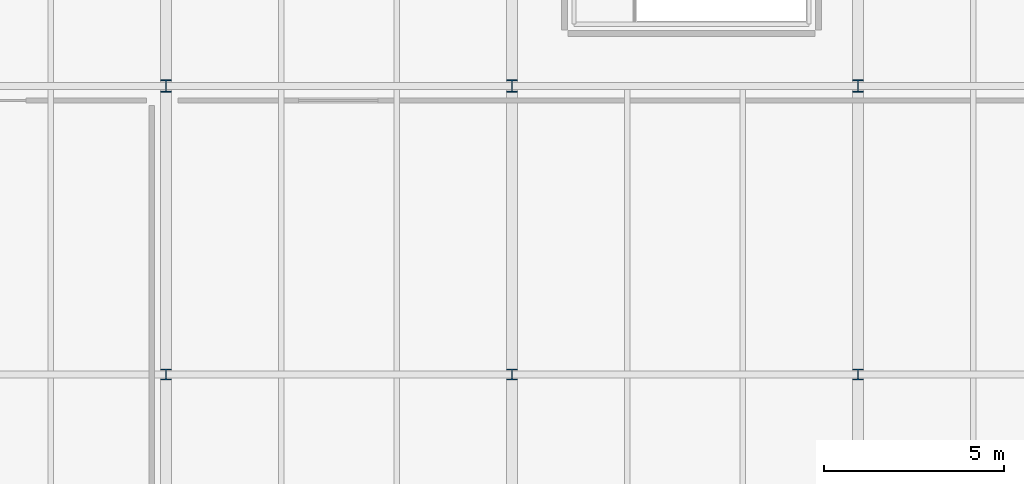
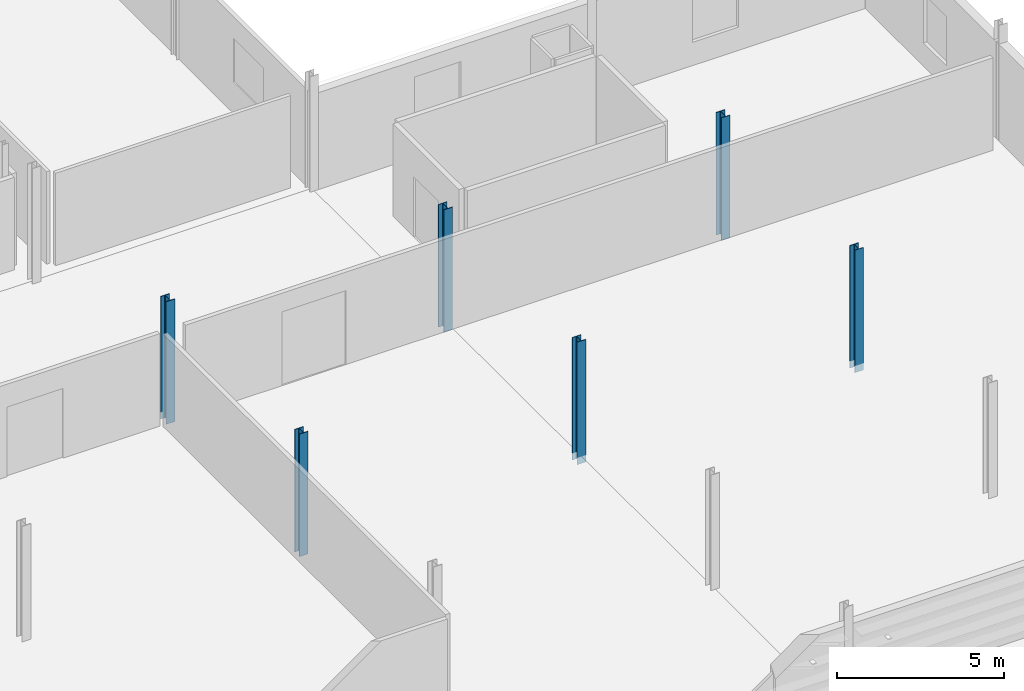
# One storey, part 5 of 73: 6 columns.
"""IFC4 building model written with IfcOpenShell, lengths in metres."""

from ifc_helpers import new_model, si_unit, direction, frame, origin, origin_2d, place, context, subcontext, project, spatial, i_section, extrude, material, material_profile, profile_set, type_object, element, save


model = new_model("IFC4")

# Units and contexts
model_context = context("Model", 3, precision=1e-05, world=origin(), true_north=direction((0.0, 1.0)))
body_context = subcontext(model_context, "Body", "Model", "MODEL_VIEW")
ifc_project = project(units=[si_unit("LENGTHUNIT", "METRE"), si_unit("AREAUNIT", "SQUARE_METRE"), si_unit("VOLUMEUNIT", "CUBIC_METRE"), si_unit("PLANEANGLEUNIT", "RADIAN"), si_unit("MASSUNIT", "GRAM", prefix="KILO")], contexts=[model_context])

# Site, building, storey
site_placement = place(None, origin())
site = spatial("IfcSite", under=ifc_project, at=site_placement, CompositionType="ELEMENT")
building_placement = place(site_placement, origin())
building = spatial("IfcBuilding", under=site, at=building_placement, Name="Alderhovde Museum", CompositionType="ELEMENT")
storey_placement = place(building_placement, frame((0.0, 0.0, 12.89990234375)))
storey = spatial("IfcBuildingStorey", under=building, at=storey_placement, Name="L03", CompositionType="ELEMENT", Elevation=12.89990234375)

# Columns
ifc_material_1 = material(Name="Steel S355J2", Category="steel")
ifc_material_profile_1 = material_profile(ifc_material_1, i_section(OverallWidth=0.300048828125, OverallDepth=0.300048828125, WebThickness=0.010986328125, FlangeThickness=0.01904296875, FilletRadius=0.027099609375, at=origin_2d()), Name="HEB 300")
ifc_profile_set_1 = profile_set([ifc_material_profile_1], Name="Steel S355J2")
column_type_1 = type_object("IfcColumnType", Name="COL-HEB300", PredefinedType="COLUMN", material=ifc_profile_set_1)
for number, where, z_axis, x_axis, name in (
    (1, (38.39990234375, 64.0, -0.260009765625), (0.0, 0.0, 1.0), (1.0, 0.0, 0.0), "L03 Column (38.4, 64.0)"),
    (2, (48.0, 64.0, -0.260009765625), (0.0, 0.0, 1.0), (1.0, 0.0, 0.0), "L03 Column (48.0, 64.0)"),
    (3, (57.60009765625, 64.0, -0.260009765625), (0.0, 0.0, 1.0), (1.0, 0.0, 0.0), "L03 Column (57.6, 64.0)"),
):
    element("IfcColumn", number, at=place(storey_placement, frame(where, z_axis=z_axis, x_axis=x_axis)), inside=storey, type_object=column_type_1, Name=name, PredefinedType="COLUMN", context=body_context, shape_type="SweptSolid", body=[
        extrude(i_section(OverallWidth=0.300048828125, OverallDepth=0.300048828125, WebThickness=0.010986328125, FlangeThickness=0.01904296875, FilletRadius=0.027099609375, at=origin_2d()), origin(), (0.0, 0.0, 1.0), 4.480224609375),
    ])
ifc_material_2 = material(Name="Steel S355J2", Category="steel")
ifc_material_profile_2 = material_profile(ifc_material_2, i_section(OverallWidth=0.300048828125, OverallDepth=0.340087890625, WebThickness=0.011962890625, FlangeThickness=0.021484375, FilletRadius=0.027099609375, at=origin_2d()), Name="HEB 340")
ifc_profile_set_2 = profile_set([ifc_material_profile_2], Name="Steel S355J2")
column_type_2 = type_object("IfcColumnType", Name="COL-HEB340", PredefinedType="COLUMN", material=ifc_profile_set_2)
for number, where, z_axis, x_axis, name in (
    (4, (38.39990234375, 72.0, -0.260009765625), (0.0, 0.0, 1.0), (1.0, 0.0, 0.0), "L03 Column (38.4, 72.0)"),
    (5, (48.0, 72.0, -0.260009765625), (0.0, 0.0, 1.0), (1.0, 0.0, 0.0), "L03 Column (48.0, 72.0)"),
    (6, (57.60009765625, 72.0, -0.260009765625), (0.0, 0.0, 1.0), (1.0, 0.0, 0.0), "L03 Column (57.6, 72.0)"),
):
    element("IfcColumn", number, at=place(storey_placement, frame(where, z_axis=z_axis, x_axis=x_axis)), inside=storey, type_object=column_type_2, Name=name, PredefinedType="COLUMN", context=body_context, shape_type="SweptSolid", body=[
        extrude(i_section(OverallWidth=0.300048828125, OverallDepth=0.340087890625, WebThickness=0.011962890625, FlangeThickness=0.021484375, FilletRadius=0.027099609375, at=origin_2d()), origin(), (0.0, 0.0, 1.0), 4.480224609375),
    ])

save(model, "model.ifc")
